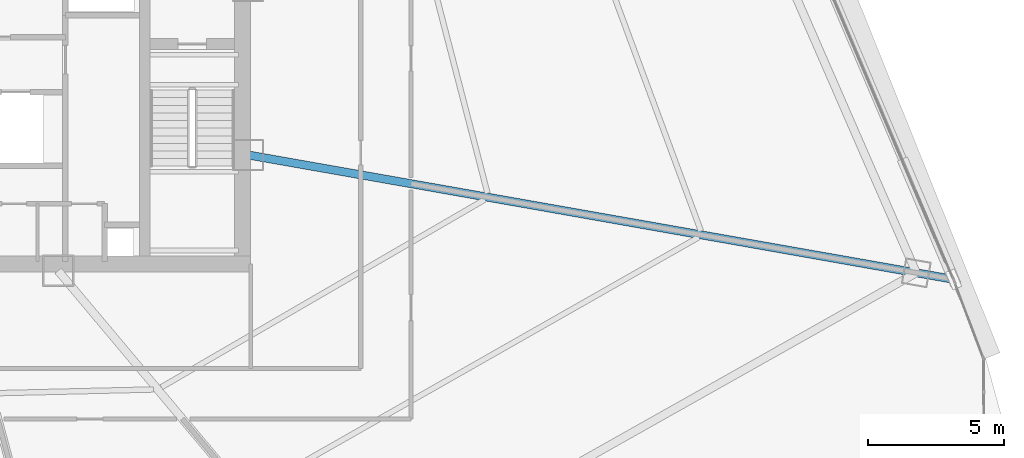
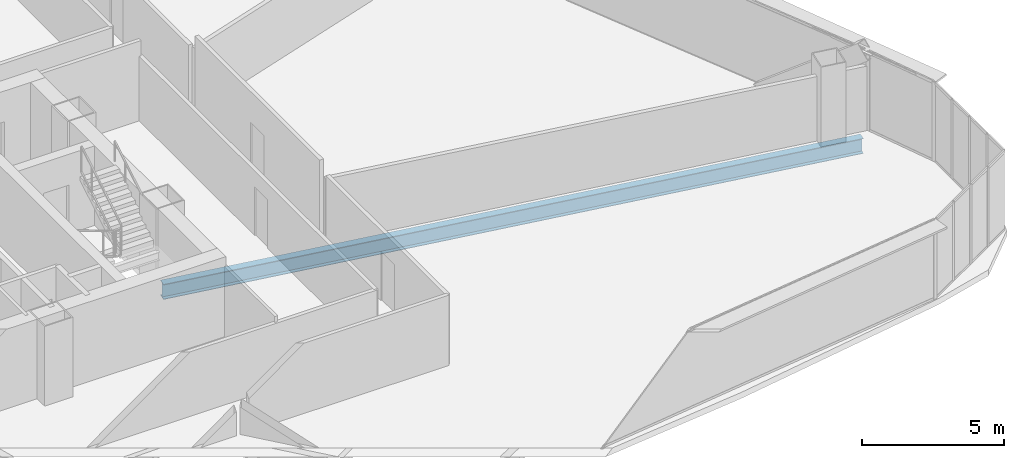
# One storey, part 25 of 41: 1 beam.
"""IFC4 building model written with IfcOpenShell, lengths in metres."""

from ifc_helpers import new_model, si_unit, direction, frame, origin, origin_2d, place, context, subcontext, project, spatial, i_section, extrude, source, transform, mapped, material, material_profile, profile_set, type_object, element, save


model = new_model("IFC4")

# Units and contexts
model_context = context("Model", 3, precision=1e-05, world=origin(), true_north=direction((0.0, 1.0)))
body_context = subcontext(model_context, "Body", "Model", "MODEL_VIEW")
ifc_project = project(units=[si_unit("LENGTHUNIT", "METRE"), si_unit("AREAUNIT", "SQUARE_METRE"), si_unit("VOLUMEUNIT", "CUBIC_METRE"), si_unit("PLANEANGLEUNIT", "RADIAN"), si_unit("MASSUNIT", "GRAM", prefix="KILO"), si_unit("THERMODYNAMICTEMPERATUREUNIT", "KELVIN"), si_unit("POWERUNIT", "WATT")], contexts=[model_context])

# Site, building, storey
site_placement = place(None, origin())
site = spatial("IfcSite", under=ifc_project, at=site_placement, CompositionType="ELEMENT")
building_placement = place(site_placement, origin())
building = spatial("IfcBuilding", under=site, at=building_placement, Name="Yunzhuo Pagoda Commons", CompositionType="ELEMENT")
storey_placement = place(building_placement, frame((0.0, 0.0, 155.590087890625)))
storey = spatial("IfcBuildingStorey", under=building, at=storey_placement, Name="L39", CompositionType="ELEMENT", Elevation=155.590087890625)

# Beam
ifc_material = material(Name="Structural steel Q355B", Category="steel")
ifc_material_profile = material_profile(ifc_material, i_section(OverallWidth=0.300048828125, OverallDepth=0.64990234375, WebThickness=0.012939453125, FlangeThickness=0.02197265625, at=origin_2d()), Name="Structural steel Q355B")
ifc_profile_set = profile_set([ifc_material_profile], Name="Structural steel Q355B")
beam_type = type_object("IfcBeamType", Name="B-RG2 Beam HN 650x300x13x22", PredefinedType="BEAM", material=ifc_profile_set)
shared_shape = source(origin(), body_context, "Body", "SweptSolid", [
    extrude(i_section(OverallWidth=0.300048828125, OverallDepth=0.64990234375, WebThickness=0.012939453125, FlangeThickness=0.02197265625, at=origin_2d()), origin(), (0.0, 0.0, 1.0), 26.2158203125),
])
beam_placement = place(storey_placement, frame((86.217529296875, 26.961181640625, -0.585205078125), z_axis=(-0.98480839303, 0.173644547905, 0.0), x_axis=(-0.173644547905, -0.98480839303, 0.0)))
element("IfcBeam", 1, at=beam_placement, inside=storey, type_object=beam_type, Name="L39 radial floor girder F2C1", PredefinedType="BEAM", context=body_context, shape_type="MappedRepresentation", body=[
    mapped(shared_shape, transform((0.0, 0.0, 0.0), scale=1.0)),
])

save(model, "model.ifc")
